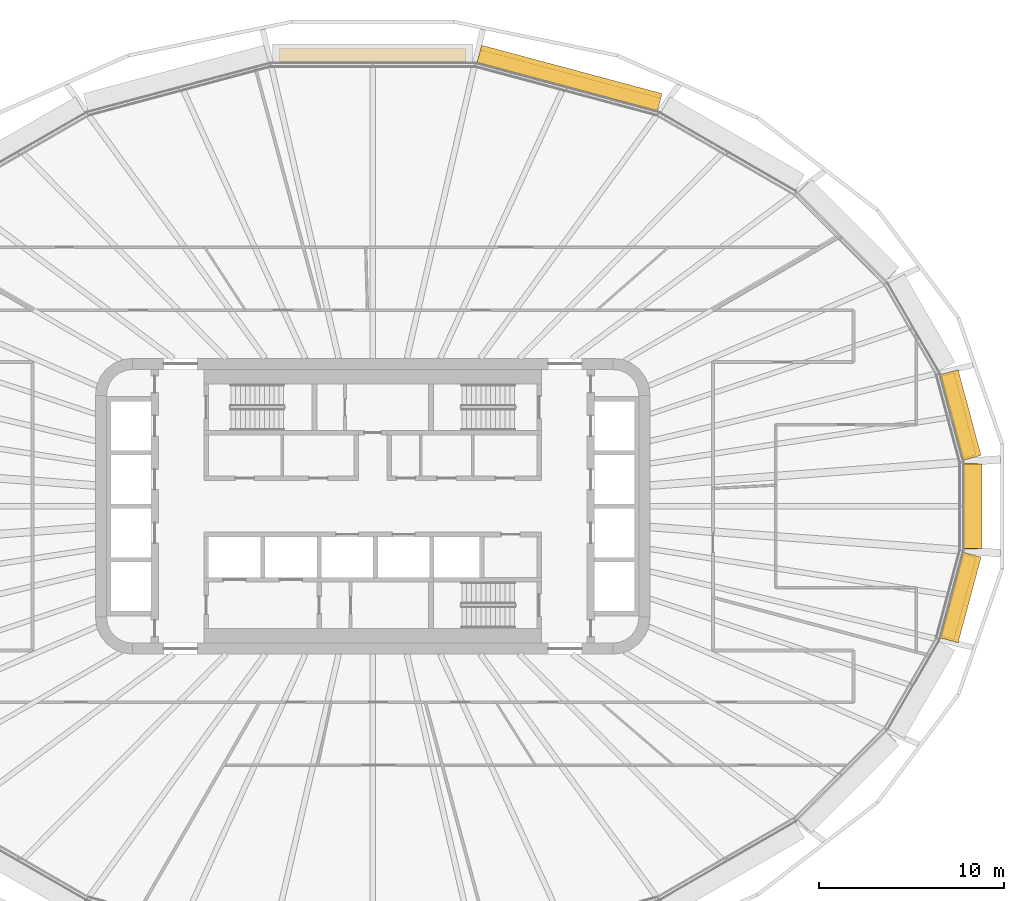
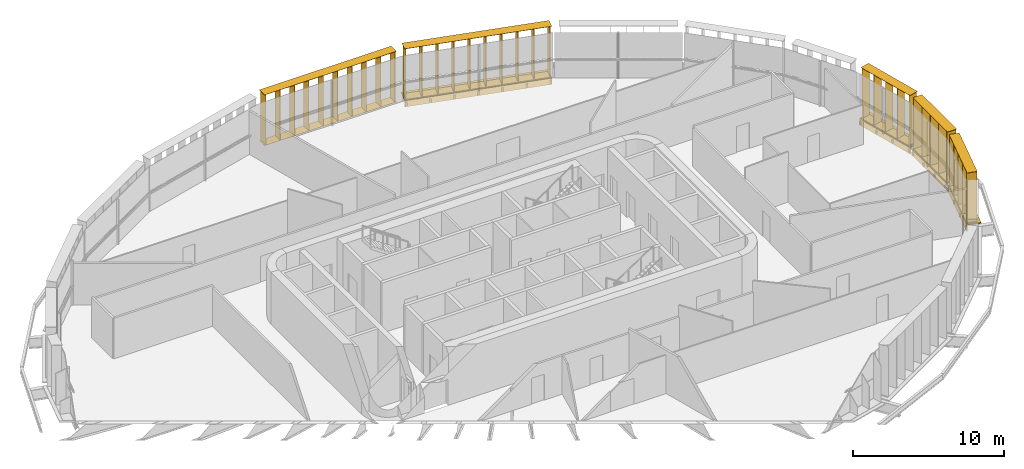
# One storey, part 25 of 25: 9 shading devices.
"""IFC4 building model written with IfcOpenShell, lengths in metres."""

from ifc_helpers import new_model, si_unit, direction, frame, origin, origin_2d, place, context, subcontext, project, spatial, rectangle, extrude, material, type_object, element, save


model = new_model("IFC4")

# Units and contexts
model_context = context("Model", 3, precision=1e-05, world=origin(), true_north=direction((0.0, 1.0)))
body_context = subcontext(model_context, "Body", "Model", "MODEL_VIEW")
ifc_project = project(units=[si_unit("LENGTHUNIT", "METRE"), si_unit("AREAUNIT", "SQUARE_METRE"), si_unit("VOLUMEUNIT", "CUBIC_METRE"), si_unit("PLANEANGLEUNIT", "RADIAN"), si_unit("MASSUNIT", "GRAM", prefix="KILO")], contexts=[model_context])

# Site, building, storey
site_placement = place(None, origin())
site = spatial("IfcSite", under=ifc_project, at=site_placement, CompositionType="ELEMENT")
building_placement = place(site_placement, origin())
building = spatial("IfcBuilding", under=site, at=building_placement, Name="Sahrelin Media Tower", CompositionType="ELEMENT")
storey_placement = place(building_placement, frame((0.0, 0.0, 106.199951171875)))
storey = spatial("IfcBuildingStorey", under=building, at=storey_placement, Name="L20", CompositionType="ELEMENT", Elevation=106.199951171875)

# Shading devices
ifc_material = material(Name="Champagne anodised aluminium 6063-T6", Category="aluminium")
shading_device_type_1 = type_object("IfcShadingDeviceType", Name="Fin cassette", PredefinedType="USERDEFINED", material=ifc_material)
placement_1 = place(storey_placement, frame((31.9443359375, 0.0, 0.0), z_axis=(0.0, 0.0, 1.0), x_axis=(0.0, -1.0, 0.0)))
element("IfcShadingDevice", 1, at=placement_1, inside=storey, type_object=shading_device_type_1, Name="L20:FIN:L20-00", ObjectType="FIN", PredefinedType="USERDEFINED", context=body_context, shape_type="SweptSolid", body=[
    extrude(rectangle(XDim=4.60009765625, YDim=0.699951171875, at=origin_2d()), frame((0.0, 0.419921875, 0.0)), (0.0, 0.0, 1.0), 0.02001953125),
    extrude(rectangle(XDim=4.60009765625, YDim=0.699951171875, at=origin_2d()), frame((0.0, 0.419921875, 4.10009765625)), (0.0, 0.0, 1.0), 0.02001953125),
    extrude(rectangle(XDim=0.02001953125, YDim=0.699951171875, at=origin_2d()), frame((-2.199951171875, 0.419921875, 0.010009765625), z_axis=(0.0, 0.0, 1.0), x_axis=(1.0, 0.0, 0.0)), (0.0, 0.0, 1.0), 4.10009765625),
    extrude(rectangle(XDim=0.02001953125, YDim=0.699951171875, at=origin_2d()), frame((-1.10009765625, 0.419921875, 0.010009765625), z_axis=(0.0, 0.0, 1.0), x_axis=(1.0, 0.0, 0.0)), (0.0, 0.0, 1.0), 4.10009765625),
    extrude(rectangle(XDim=0.02001953125, YDim=0.699951171875, at=origin_2d()), frame((0.0, 0.419921875, 0.010009765625), z_axis=(0.0, 0.0, 1.0), x_axis=(1.0, 0.0, 0.0)), (0.0, 0.0, 1.0), 4.10009765625),
    extrude(rectangle(XDim=0.02001953125, YDim=0.699951171875, at=origin_2d()), frame((1.10009765625, 0.419921875, 0.010009765625), z_axis=(0.0, 0.0, 1.0), x_axis=(1.0, 0.0, 0.0)), (0.0, 0.0, 1.0), 4.10009765625),
    extrude(rectangle(XDim=0.02001953125, YDim=0.699951171875, at=origin_2d()), frame((2.199951171875, 0.419921875, 0.010009765625), z_axis=(0.0, 0.0, 1.0), x_axis=(1.0, 0.0, 0.0)), (0.0, 0.0, 1.0), 4.10009765625),
])
placement_2 = place(storey_placement, frame((31.298095703125, 4.798828125, 0.0), z_axis=(0.0, 0.0, 1.0), x_axis=(0.258807731996, -0.965928857556, 0.0)))
element("IfcShadingDevice", 2, at=placement_2, inside=storey, type_object=shading_device_type_1, Name="L20:FIN:L20-01", ObjectType="FIN", PredefinedType="USERDEFINED", context=body_context, shape_type="SweptSolid", body=[
    extrude(rectangle(XDim=4.60009765625, YDim=0.699951171875, at=origin_2d()), frame((0.0, 0.419921875, 0.0)), (0.0, 0.0, 1.0), 0.02001953125),
    extrude(rectangle(XDim=4.60009765625, YDim=0.699951171875, at=origin_2d()), frame((0.0, 0.419921875, 4.10009765625)), (0.0, 0.0, 1.0), 0.02001953125),
    extrude(rectangle(XDim=0.02001953125, YDim=0.699951171875, at=origin_2d()), frame((-2.199951171875, 0.419921875, 0.010009765625), z_axis=(0.0, 0.0, 1.0), x_axis=(1.0, 0.0, 0.0)), (0.0, 0.0, 1.0), 4.10009765625),
    extrude(rectangle(XDim=0.02001953125, YDim=0.699951171875, at=origin_2d()), frame((-1.10009765625, 0.419921875, 0.010009765625), z_axis=(0.0, 0.0, 1.0), x_axis=(1.0, 0.0, 0.0)), (0.0, 0.0, 1.0), 4.10009765625),
    extrude(rectangle(XDim=0.02001953125, YDim=0.699951171875, at=origin_2d()), frame((0.0, 0.419921875, 0.010009765625), z_axis=(0.0, 0.0, 1.0), x_axis=(1.0, 0.0, 0.0)), (0.0, 0.0, 1.0), 4.10009765625),
    extrude(rectangle(XDim=0.02001953125, YDim=0.699951171875, at=origin_2d()), frame((1.10009765625, 0.419921875, 0.010009765625), z_axis=(0.0, 0.0, 1.0), x_axis=(1.0, 0.0, 0.0)), (0.0, 0.0, 1.0), 4.10009765625),
    extrude(rectangle(XDim=0.02001953125, YDim=0.699951171875, at=origin_2d()), frame((2.199951171875, 0.419921875, 0.010009765625), z_axis=(0.0, 0.0, 1.0), x_axis=(1.0, 0.0, 0.0)), (0.0, 0.0, 1.0), 4.10009765625),
])
placement_3 = place(storey_placement, frame((10.50732421875, 22.643798828125, 0.0), z_axis=(0.0, 0.0, 1.0), x_axis=(0.965928857556, -0.258807731996, 0.0)))
element("IfcShadingDevice", 3, at=placement_3, inside=storey, type_object=shading_device_type_1, Name="L20:FIN:L20-05", ObjectType="FIN", PredefinedType="USERDEFINED", context=body_context, shape_type="SweptSolid", body=[
    extrude(rectangle(XDim=10.10009765625, YDim=0.699951171875, at=origin_2d()), frame((0.0, 0.419921875, 0.0)), (0.0, 0.0, 1.0), 0.02001953125),
    extrude(rectangle(XDim=10.10009765625, YDim=0.699951171875, at=origin_2d()), frame((0.0, 0.419921875, 4.10009765625)), (0.0, 0.0, 1.0), 0.02001953125),
    extrude(rectangle(XDim=0.02001953125, YDim=0.699951171875, at=origin_2d()), frame((-4.949951171875, 0.419921875, 0.010009765625), z_axis=(0.0, 0.0, 1.0), x_axis=(1.0, 0.0, 0.0)), (0.0, 0.0, 1.0), 4.10009765625),
    extrude(rectangle(XDim=0.02001953125, YDim=0.699951171875, at=origin_2d()), frame((-3.85009765625, 0.419921875, 0.010009765625), z_axis=(0.0, 0.0, 1.0), x_axis=(1.0, 0.0, 0.0)), (0.0, 0.0, 1.0), 4.10009765625),
    extrude(rectangle(XDim=0.02001953125, YDim=0.699951171875, at=origin_2d()), frame((-2.75, 0.419921875, 0.010009765625), z_axis=(0.0, 0.0, 1.0), x_axis=(1.0, 0.0, 0.0)), (0.0, 0.0, 1.0), 4.10009765625),
    extrude(rectangle(XDim=0.02001953125, YDim=0.699951171875, at=origin_2d()), frame((-1.64990234375, 0.419921875, 0.010009765625), z_axis=(0.0, 0.0, 1.0), x_axis=(1.0, 0.0, 0.0)), (0.0, 0.0, 1.0), 4.10009765625),
    extrude(rectangle(XDim=0.02001953125, YDim=0.699951171875, at=origin_2d()), frame((-0.550048828125, 0.419921875, 0.010009765625), z_axis=(0.0, 0.0, 1.0), x_axis=(1.0, 0.0, 0.0)), (0.0, 0.0, 1.0), 4.10009765625),
    extrude(rectangle(XDim=0.02001953125, YDim=0.699951171875, at=origin_2d()), frame((0.550048828125, 0.419921875, 0.010009765625), z_axis=(0.0, 0.0, 1.0), x_axis=(1.0, 0.0, 0.0)), (0.0, 0.0, 1.0), 4.10009765625),
    extrude(rectangle(XDim=0.02001953125, YDim=0.699951171875, at=origin_2d()), frame((1.64990234375, 0.419921875, 0.010009765625), z_axis=(0.0, 0.0, 1.0), x_axis=(1.0, 0.0, 0.0)), (0.0, 0.0, 1.0), 4.10009765625),
    extrude(rectangle(XDim=0.02001953125, YDim=0.699951171875, at=origin_2d()), frame((2.75, 0.419921875, 0.010009765625), z_axis=(0.0, 0.0, 1.0), x_axis=(1.0, 0.0, 0.0)), (0.0, 0.0, 1.0), 4.10009765625),
    extrude(rectangle(XDim=0.02001953125, YDim=0.699951171875, at=origin_2d()), frame((3.85009765625, 0.419921875, 0.010009765625), z_axis=(0.0, 0.0, 1.0), x_axis=(1.0, 0.0, 0.0)), (0.0, 0.0, 1.0), 4.10009765625),
    extrude(rectangle(XDim=0.02001953125, YDim=0.699951171875, at=origin_2d()), frame((4.949951171875, 0.419921875, 0.010009765625), z_axis=(0.0, 0.0, 1.0), x_axis=(1.0, 0.0, 0.0)), (0.0, 0.0, 1.0), 4.10009765625),
])
shading_device_4_placement = place(storey_placement, frame((0.0, 23.97705078125, 0.0), z_axis=(0.0, 0.0, 1.0), x_axis=(1.0, 0.0, 0.0)))
element("IfcShadingDevice", 4, at=shading_device_4_placement, inside=storey, type_object=shading_device_type_1, Name="L20:FIN:L20-06", ObjectType="FIN", PredefinedType="USERDEFINED", context=body_context, shape_type="SweptSolid", body=[
    extrude(rectangle(XDim=10.10009765625, YDim=0.699951171875, at=origin_2d()), frame((0.0, 0.419921875, 0.0)), (0.0, 0.0, 1.0), 0.02001953125),
    extrude(rectangle(XDim=10.10009765625, YDim=0.699951171875, at=origin_2d()), frame((0.0, 0.419921875, 4.10009765625)), (0.0, 0.0, 1.0), 0.02001953125),
    extrude(rectangle(XDim=0.02001953125, YDim=0.699951171875, at=origin_2d()), frame((-4.949951171875, 0.419921875, 0.010009765625), z_axis=(0.0, 0.0, 1.0), x_axis=(1.0, 0.0, 0.0)), (0.0, 0.0, 1.0), 4.10009765625),
    extrude(rectangle(XDim=0.02001953125, YDim=0.699951171875, at=origin_2d()), frame((-3.85009765625, 0.419921875, 0.010009765625), z_axis=(0.0, 0.0, 1.0), x_axis=(1.0, 0.0, 0.0)), (0.0, 0.0, 1.0), 4.10009765625),
    extrude(rectangle(XDim=0.02001953125, YDim=0.699951171875, at=origin_2d()), frame((-2.75, 0.419921875, 0.010009765625), z_axis=(0.0, 0.0, 1.0), x_axis=(1.0, 0.0, 0.0)), (0.0, 0.0, 1.0), 4.10009765625),
    extrude(rectangle(XDim=0.02001953125, YDim=0.699951171875, at=origin_2d()), frame((-1.64990234375, 0.419921875, 0.010009765625), z_axis=(0.0, 0.0, 1.0), x_axis=(1.0, 0.0, 0.0)), (0.0, 0.0, 1.0), 4.10009765625),
    extrude(rectangle(XDim=0.02001953125, YDim=0.699951171875, at=origin_2d()), frame((-0.550048828125, 0.419921875, 0.010009765625), z_axis=(0.0, 0.0, 1.0), x_axis=(1.0, 0.0, 0.0)), (0.0, 0.0, 1.0), 4.10009765625),
    extrude(rectangle(XDim=0.02001953125, YDim=0.699951171875, at=origin_2d()), frame((0.550048828125, 0.419921875, 0.010009765625), z_axis=(0.0, 0.0, 1.0), x_axis=(1.0, 0.0, 0.0)), (0.0, 0.0, 1.0), 4.10009765625),
    extrude(rectangle(XDim=0.02001953125, YDim=0.699951171875, at=origin_2d()), frame((1.64990234375, 0.419921875, 0.010009765625), z_axis=(0.0, 0.0, 1.0), x_axis=(1.0, 0.0, 0.0)), (0.0, 0.0, 1.0), 4.10009765625),
    extrude(rectangle(XDim=0.02001953125, YDim=0.699951171875, at=origin_2d()), frame((2.75, 0.419921875, 0.010009765625), z_axis=(0.0, 0.0, 1.0), x_axis=(1.0, 0.0, 0.0)), (0.0, 0.0, 1.0), 4.10009765625),
    extrude(rectangle(XDim=0.02001953125, YDim=0.699951171875, at=origin_2d()), frame((3.85009765625, 0.419921875, 0.010009765625), z_axis=(0.0, 0.0, 1.0), x_axis=(1.0, 0.0, 0.0)), (0.0, 0.0, 1.0), 4.10009765625),
    extrude(rectangle(XDim=0.02001953125, YDim=0.699951171875, at=origin_2d()), frame((4.949951171875, 0.419921875, 0.010009765625), z_axis=(0.0, 0.0, 1.0), x_axis=(1.0, 0.0, 0.0)), (0.0, 0.0, 1.0), 4.10009765625),
])
placement_4 = place(storey_placement, frame((31.298095703125, -4.798583984375, 0.0), z_axis=(0.0, 0.0, 1.0), x_axis=(-0.258807731996, -0.965928857556, 0.0)))
element("IfcShadingDevice", 5, at=placement_4, inside=storey, type_object=shading_device_type_1, Name="L20:FIN:L20-23", ObjectType="FIN", PredefinedType="USERDEFINED", context=body_context, shape_type="SweptSolid", body=[
    extrude(rectangle(XDim=4.60009765625, YDim=0.699951171875, at=origin_2d()), frame((0.0, 0.419921875, 0.0)), (0.0, 0.0, 1.0), 0.02001953125),
    extrude(rectangle(XDim=4.60009765625, YDim=0.699951171875, at=origin_2d()), frame((0.0, 0.419921875, 4.10009765625)), (0.0, 0.0, 1.0), 0.02001953125),
    extrude(rectangle(XDim=0.02001953125, YDim=0.699951171875, at=origin_2d()), frame((-2.199951171875, 0.419921875, 0.010009765625), z_axis=(0.0, 0.0, 1.0), x_axis=(1.0, 0.0, 0.0)), (0.0, 0.0, 1.0), 4.10009765625),
    extrude(rectangle(XDim=0.02001953125, YDim=0.699951171875, at=origin_2d()), frame((-1.10009765625, 0.419921875, 0.010009765625), z_axis=(0.0, 0.0, 1.0), x_axis=(1.0, 0.0, 0.0)), (0.0, 0.0, 1.0), 4.10009765625),
    extrude(rectangle(XDim=0.02001953125, YDim=0.699951171875, at=origin_2d()), frame((0.0, 0.419921875, 0.010009765625), z_axis=(0.0, 0.0, 1.0), x_axis=(1.0, 0.0, 0.0)), (0.0, 0.0, 1.0), 4.10009765625),
    extrude(rectangle(XDim=0.02001953125, YDim=0.699951171875, at=origin_2d()), frame((1.10009765625, 0.419921875, 0.010009765625), z_axis=(0.0, 0.0, 1.0), x_axis=(1.0, 0.0, 0.0)), (0.0, 0.0, 1.0), 4.10009765625),
    extrude(rectangle(XDim=0.02001953125, YDim=0.699951171875, at=origin_2d()), frame((2.199951171875, 0.419921875, 0.010009765625), z_axis=(0.0, 0.0, 1.0), x_axis=(1.0, 0.0, 0.0)), (0.0, 0.0, 1.0), 4.10009765625),
])
shading_device_type_2 = type_object("IfcShadingDeviceType", Name="Sunshade band", PredefinedType="USERDEFINED", material=ifc_material)
element("IfcShadingDevice", 6, at=placement_1, inside=storey, type_object=shading_device_type_2, Name="L20:SUN:L20-00", ObjectType="SUNSHADE", PredefinedType="USERDEFINED", context=body_context, shape_type="SweptSolid", body=[
    extrude(rectangle(XDim=4.574462890625, YDim=0.050048828125, at=origin_2d()), frame((0.0, 0.044921875, -0.55126953125)), (0.0, 0.0, 1.0), 0.471435546875),
    extrude(rectangle(XDim=4.574462890625, YDim=1.0, at=origin_2d()), frame((0.0, 0.52001953125, -0.080078125)), (0.0, 0.0, 1.0), 0.080078125),
    extrude(rectangle(XDim=0.10009765625, YDim=0.074951171875, at=origin_2d()), frame((-2.187255859375, -0.017578125, -0.47021484375)), (0.0, 0.0, 1.0), 0.300048828125),
    extrude(rectangle(XDim=0.10009765625, YDim=0.074951171875, at=origin_2d()), frame((-0.72900390625, -0.017578125, -0.47021484375)), (0.0, 0.0, 1.0), 0.300048828125),
    extrude(rectangle(XDim=0.10009765625, YDim=0.074951171875, at=origin_2d()), frame((0.72900390625, -0.017578125, -0.47021484375)), (0.0, 0.0, 1.0), 0.300048828125),
    extrude(rectangle(XDim=0.10009765625, YDim=0.074951171875, at=origin_2d()), frame((2.187255859375, -0.017578125, -0.47021484375)), (0.0, 0.0, 1.0), 0.300048828125),
])
element("IfcShadingDevice", 7, at=placement_2, inside=storey, type_object=shading_device_type_2, Name="L20:SUN:L20-01", ObjectType="SUNSHADE", PredefinedType="USERDEFINED", context=body_context, shape_type="SweptSolid", body=[
    extrude(rectangle(XDim=4.793212890625, YDim=0.050048828125, at=origin_2d()), frame((0.0, 0.044921875, -0.55126953125)), (0.0, 0.0, 1.0), 0.471435546875),
    extrude(rectangle(XDim=4.793212890625, YDim=1.0, at=origin_2d()), frame((0.0, 0.52001953125, -0.080078125)), (0.0, 0.0, 1.0), 0.080078125),
    extrude(rectangle(XDim=0.10009765625, YDim=0.074951171875, at=origin_2d()), frame((-2.296630859375, -0.017578125, -0.47021484375)), (0.0, 0.0, 1.0), 0.300048828125),
    extrude(rectangle(XDim=0.10009765625, YDim=0.074951171875, at=origin_2d()), frame((-0.765380859375, -0.017578125, -0.47021484375)), (0.0, 0.0, 1.0), 0.300048828125),
    extrude(rectangle(XDim=0.10009765625, YDim=0.074951171875, at=origin_2d()), frame((0.765380859375, -0.017578125, -0.47021484375)), (0.0, 0.0, 1.0), 0.300048828125),
    extrude(rectangle(XDim=0.10009765625, YDim=0.074951171875, at=origin_2d()), frame((2.296630859375, -0.017578125, -0.47021484375)), (0.0, 0.0, 1.0), 0.300048828125),
])
element("IfcShadingDevice", 8, at=placement_3, inside=storey, type_object=shading_device_type_2, Name="L20:SUN:L20-05", ObjectType="SUNSHADE", PredefinedType="USERDEFINED", context=body_context, shape_type="SweptSolid", body=[
    extrude(rectangle(XDim=10.103759765625, YDim=0.050048828125, at=origin_2d()), frame((0.0, 0.044921875, -0.55126953125)), (0.0, 0.0, 1.0), 0.471435546875),
    extrude(rectangle(XDim=10.103759765625, YDim=1.0, at=origin_2d()), frame((0.0, 0.52001953125, -0.080078125)), (0.0, 0.0, 1.0), 0.080078125),
    extrude(rectangle(XDim=0.10009765625, YDim=0.074951171875, at=origin_2d()), frame((-4.951904296875, -0.017578125, -0.47021484375)), (0.0, 0.0, 1.0), 0.300048828125),
    extrude(rectangle(XDim=0.10009765625, YDim=0.074951171875, at=origin_2d()), frame((-3.30126953125, -0.017578125, -0.47021484375)), (0.0, 0.0, 1.0), 0.300048828125),
    extrude(rectangle(XDim=0.10009765625, YDim=0.074951171875, at=origin_2d()), frame((-1.650634765625, -0.017578125, -0.47021484375)), (0.0, 0.0, 1.0), 0.300048828125),
    extrude(rectangle(XDim=0.10009765625, YDim=0.074951171875, at=origin_2d()), frame((0.0, -0.017578125, -0.47021484375)), (0.0, 0.0, 1.0), 0.300048828125),
    extrude(rectangle(XDim=0.10009765625, YDim=0.074951171875, at=origin_2d()), frame((1.650634765625, -0.017578125, -0.47021484375)), (0.0, 0.0, 1.0), 0.300048828125),
    extrude(rectangle(XDim=0.10009765625, YDim=0.074951171875, at=origin_2d()), frame((3.30126953125, -0.017578125, -0.47021484375)), (0.0, 0.0, 1.0), 0.300048828125),
    extrude(rectangle(XDim=0.10009765625, YDim=0.074951171875, at=origin_2d()), frame((4.951904296875, -0.017578125, -0.47021484375)), (0.0, 0.0, 1.0), 0.300048828125),
])
element("IfcShadingDevice", 9, at=placement_4, inside=storey, type_object=shading_device_type_2, Name="L20:SUN:L20-23", ObjectType="SUNSHADE", PredefinedType="USERDEFINED", context=body_context, shape_type="SweptSolid", body=[
    extrude(rectangle(XDim=4.793212890625, YDim=0.050048828125, at=origin_2d()), frame((0.0, 0.044921875, -0.55126953125)), (0.0, 0.0, 1.0), 0.471435546875),
    extrude(rectangle(XDim=4.793212890625, YDim=1.0, at=origin_2d()), frame((0.0, 0.52001953125, -0.080078125)), (0.0, 0.0, 1.0), 0.080078125),
    extrude(rectangle(XDim=0.10009765625, YDim=0.074951171875, at=origin_2d()), frame((-2.296630859375, -0.017578125, -0.47021484375)), (0.0, 0.0, 1.0), 0.300048828125),
    extrude(rectangle(XDim=0.10009765625, YDim=0.074951171875, at=origin_2d()), frame((-0.765380859375, -0.017578125, -0.47021484375)), (0.0, 0.0, 1.0), 0.300048828125),
    extrude(rectangle(XDim=0.10009765625, YDim=0.074951171875, at=origin_2d()), frame((0.765380859375, -0.017578125, -0.47021484375)), (0.0, 0.0, 1.0), 0.300048828125),
    extrude(rectangle(XDim=0.10009765625, YDim=0.074951171875, at=origin_2d()), frame((2.296630859375, -0.017578125, -0.47021484375)), (0.0, 0.0, 1.0), 0.300048828125),
])

save(model, "model.ifc")
